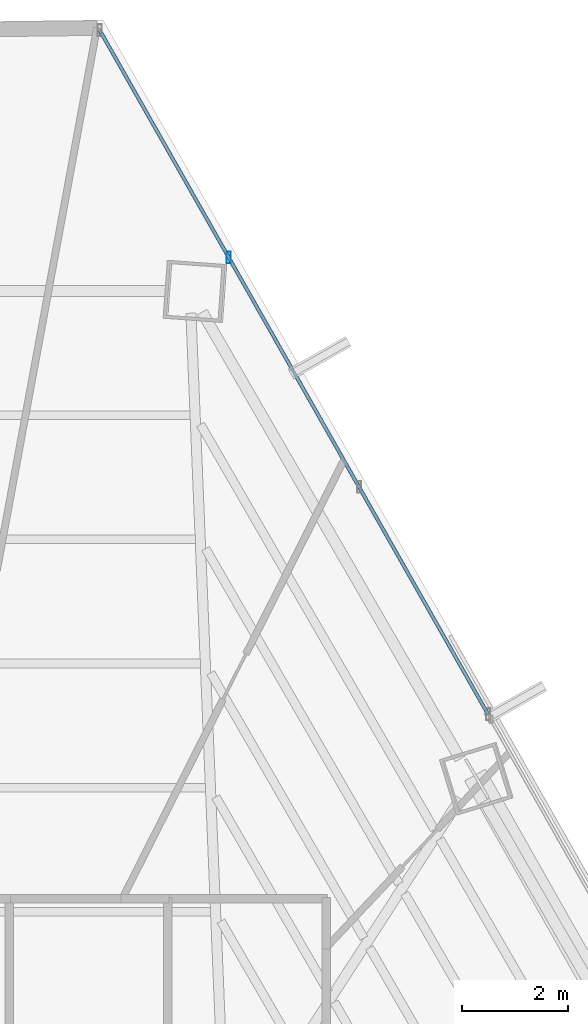
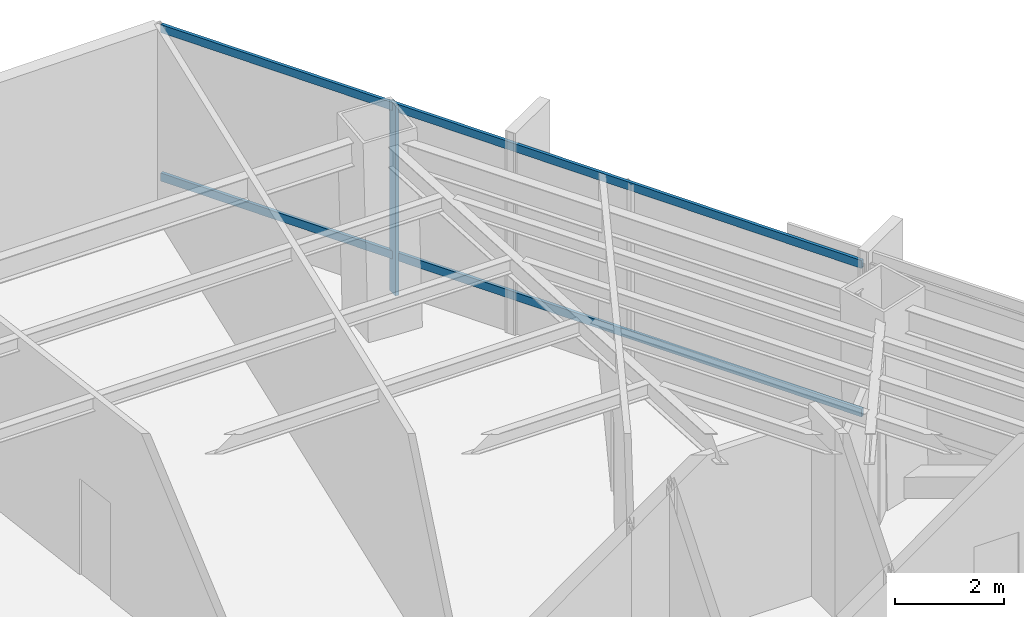
# One storey, part 29 of 37: 3 members, 1 element without a shape of its own.
"""IFC4 building model written with IfcOpenShell, lengths in metres."""

from ifc_helpers import new_model, si_unit, direction, frame, origin, origin_2d, place, context, subcontext, project, spatial, hollow_rectangle, extrude, source, transform, mapped, material, material_profile, profile_set, type_object, type_shapes, element, aggregate, save


model = new_model("IFC4")

# Units and contexts
model_context = context("Model", 3, precision=1e-05, world=origin(), true_north=direction((0.0, 1.0)))
body_context = subcontext(model_context, "Body", "Model", "MODEL_VIEW")
ifc_project = project(units=[si_unit("LENGTHUNIT", "METRE"), si_unit("AREAUNIT", "SQUARE_METRE"), si_unit("VOLUMEUNIT", "CUBIC_METRE"), si_unit("PLANEANGLEUNIT", "RADIAN"), si_unit("MASSUNIT", "GRAM", prefix="KILO")], contexts=[model_context])

# Site, building, storey
site_placement = place(None, origin())
site = spatial("IfcSite", under=ifc_project, at=site_placement, CompositionType="ELEMENT")
building_placement = place(site_placement, origin())
building = spatial("IfcBuilding", under=site, at=building_placement, Name="Caelisora Broadcast Tower", CompositionType="ELEMENT")
storey_placement = place(building_placement, frame((0.0, 0.0, 127.300048828125)))
storey = spatial("IfcBuildingStorey", under=building, at=storey_placement, Name="L33", CompositionType="ELEMENT", Elevation=127.300048828125)

# Curtain wall, members
ifc_material_1 = material(Name="Unitised Aluminium and Low-E Glass Curtain Wall", Category="glass")
curtain_wall_type = type_object("IfcCurtainWallType", Name="CW-SKY", PredefinedType="NOTDEFINED", material=ifc_material_1)
curtain_wall_placement = place(storey_placement, origin())
curtain_wall = element("IfcCurtainWall", 1, at=curtain_wall_placement, inside=storey, type_object=curtain_wall_type, Name="L33 curtain wall CW-SKY", PredefinedType="NOTDEFINED")
ifc_material_2 = material(Name="Aluminium 6063-T6 Anodised Terracotta Bronze", Category="aluminium")
ifc_material_profile_1 = material_profile(ifc_material_2, hollow_rectangle(XDim=0.074951171875, YDim=0.219970703125, WallThickness=0.00390625, at=origin_2d()), Name="Aluminium 6063-T6 Anodised Terracotta Bronze")
ifc_profile_set_1 = profile_set([ifc_material_profile_1], Name="Aluminium 6063-T6 Anodised Terracotta Bronze")
member_type_1 = type_object("IfcMemberType", Name="CWM-01", PredefinedType="MULLION", material=ifc_profile_set_1)
shared_shape_1 = source(origin(), body_context, "Body", "SweptSolid", [
    extrude(hollow_rectangle(XDim=0.074951171875, YDim=0.219970703125, WallThickness=0.00390625, at=origin_2d()), origin(), (0.0, 0.0, 1.0), 4.25),
])
type_shapes(member_type_1, [shared_shape_1])
member_1_placement = place(storey_placement, frame((45.55615234375, 47.090087890625, 0.0), z_axis=(0.0, 0.0, 1.0), x_axis=(1.0, 0.0, 0.0)))
member_1 = element("IfcMember", 2, at=member_1_placement, type_object=member_type_1, Name="L33-CW-B01 mullion #1", PredefinedType="MULLION", context=body_context, shape_type="MappedRepresentation", body=[
    mapped(shared_shape_1, transform((0.0, 0.0, 0.0), scale=1.0)),
])
ifc_material_profile_2 = material_profile(ifc_material_2, hollow_rectangle(XDim=0.06494140625, YDim=0.179931640625, WallThickness=0.00341796875, at=origin_2d()), Name="Aluminium 6063-T6 Anodised Terracotta Bronze")
ifc_profile_set_2 = profile_set([ifc_material_profile_2], Name="Aluminium 6063-T6 Anodised Terracotta Bronze")
member_type_2 = type_object("IfcMemberType", Name="CWT-01", PredefinedType="USERDEFINED", material=ifc_profile_set_2)
shared_shape_2 = source(origin(), body_context, "Body", "SweptSolid", [
    extrude(hollow_rectangle(XDim=0.06494140625, YDim=0.179931640625, WallThickness=0.00341796875, at=origin_2d()), origin(), (0.0, 0.0, 1.0), 14.891845703125),
])
type_shapes(member_type_2, [shared_shape_2])
member_2_placement = place(storey_placement, frame((43.11376953125, 51.392578125, 0.849853515625), z_axis=(0.493677570584, -0.869645017408, 0.0), x_axis=(0.869645017408, 0.493677570584, 0.0)))
member_2 = element("IfcMember", 3, at=member_2_placement, type_object=member_type_2, Name="L33-CW-B01 transom #1", ObjectType="TRANSOM", PredefinedType="USERDEFINED", context=body_context, shape_type="MappedRepresentation", body=[
    mapped(shared_shape_2, transform((0.0, 0.0, 0.0), scale=1.0)),
])
member_3_placement = place(storey_placement, frame((43.11376953125, 51.392578125, 4.169921875), z_axis=(0.493677570584, -0.869645017408, 0.0), x_axis=(0.869645017408, 0.493677570584, 0.0)))
member_3 = element("IfcMember", 4, at=member_3_placement, type_object=member_type_2, Name="L33-CW-B01 transom #2", ObjectType="TRANSOM", PredefinedType="USERDEFINED", context=body_context, shape_type="MappedRepresentation", body=[
    mapped(shared_shape_2, transform((0.0, 0.0, 0.0), scale=1.0)),
])
aggregate(curtain_wall, [member_1, member_2, member_3])

save(model, "model.ifc")
